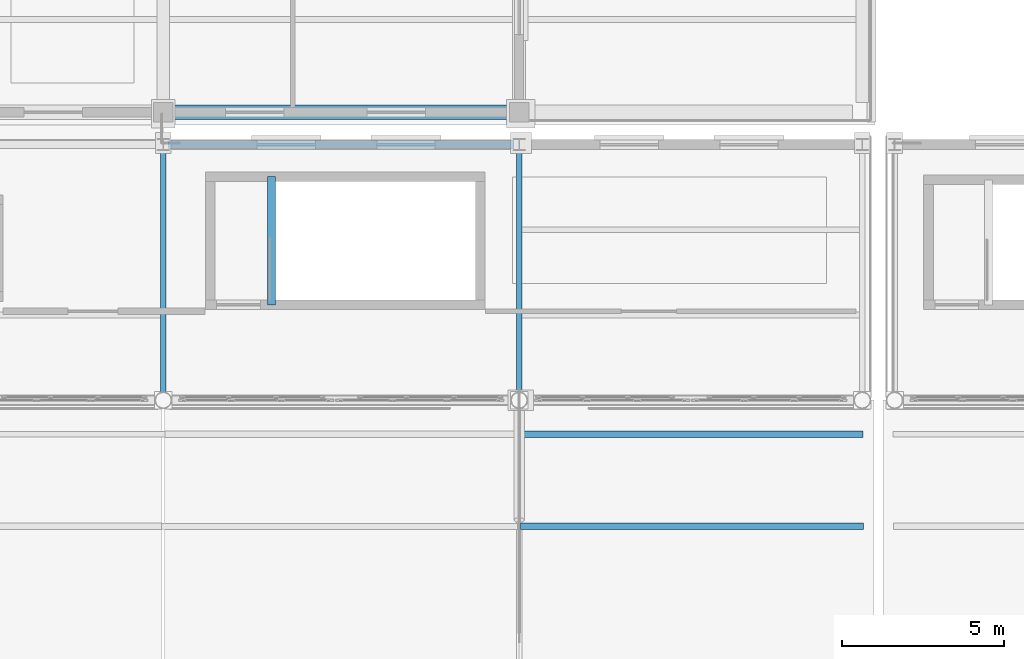
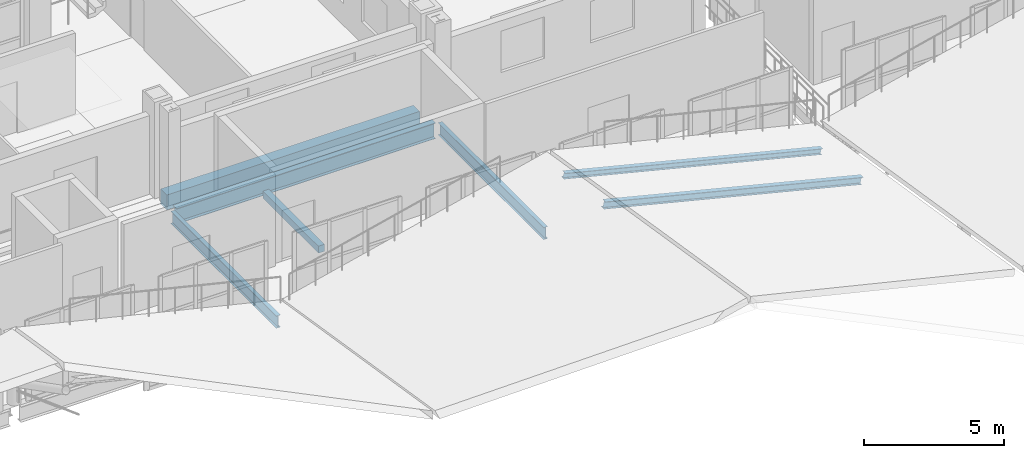
# One storey, part 42 of 120: 5 beams, 2 members.
"""IFC4 building model written with IfcOpenShell, lengths in metres."""

from ifc_helpers import new_model, si_unit, direction, frame, origin, origin_2d, place, context, subcontext, project, spatial, rectangle, i_section, extrude, material, material_profile, profile_set, type_object, element, save


model = new_model("IFC4")

# Units and contexts
model_context = context("Model", 3, precision=1e-05, world=origin(), true_north=direction((0.0, 1.0)))
body_context = subcontext(model_context, "Body", "Model", "MODEL_VIEW")
ifc_project = project(units=[si_unit("LENGTHUNIT", "METRE"), si_unit("AREAUNIT", "SQUARE_METRE"), si_unit("VOLUMEUNIT", "CUBIC_METRE"), si_unit("PLANEANGLEUNIT", "RADIAN"), si_unit("MASSUNIT", "GRAM", prefix="KILO")], contexts=[model_context])

# Site, building, storey
site_placement = place(None, origin())
site = spatial("IfcSite", under=ifc_project, at=site_placement, CompositionType="ELEMENT")
building_placement = place(site_placement, origin())
building = spatial("IfcBuilding", under=site, at=building_placement, Name="Caurita Quay Ferry Terminal", CompositionType="ELEMENT")
storey_placement = place(building_placement, frame((0.0, 0.0, 9.89990234375)))
storey = spatial("IfcBuildingStorey", under=building, at=storey_placement, Name="L02", CompositionType="ELEMENT", Elevation=9.89990234375)

# Beams
ifc_material_1 = material(Name="Structural steel ASTM A992 Gr. 50", Category="steel")
ifc_material_profile_1 = material_profile(ifc_material_1, i_section(OverallWidth=0.25390625, OverallDepth=0.68310546875, WebThickness=0.012451171875, FlangeThickness=0.018798828125, at=origin_2d()), Name="W27X94")
ifc_profile_set_1 = profile_set([ifc_material_profile_1], Name="Structural steel ASTM A992 Gr. 50")
beam_type_1 = type_object("IfcBeamType", Name="BM-GR-W27B", PredefinedType="BEAM", material=ifc_profile_set_1)
beam_1_placement = place(storey_placement, frame((66.167236328125, 70.60009765625, -0.5615234375), z_axis=(1.0, 0.0, 0.0), x_axis=(0.0, 1.0, 0.0)))
element("IfcBeam", 1, at=beam_1_placement, inside=storey, type_object=beam_type_1, Name="L02 Beam BM-V1-L02-X-662-706", PredefinedType="BEAM", context=body_context, shape_type="SweptSolid", body=[
    extrude(i_section(OverallWidth=0.25390625, OverallDepth=0.68310546875, WebThickness=0.012451171875, FlangeThickness=0.018798828125, at=origin_2d()), origin(), (0.0, 0.0, 1.0), 10.66552734375),
])
ifc_material_2 = material(Name="Reinforced concrete C35/45", Category="concrete")
ifc_material_profile_2 = material_profile(ifc_material_2, rectangle(XDim=0.449951171875, YDim=0.64990234375, at=origin_2d()), Name="RC-BM-450X650")
ifc_profile_set_2 = profile_set([ifc_material_profile_2], Name="Reinforced concrete C35/45")
beam_type_2 = type_object("IfcBeamType", Name="BM-RC-4565", PredefinedType="BEAM", material=ifc_profile_set_2)
beam_2_placement = place(storey_placement, frame((66.297607421875, 71.60009765625, -0.544921875), z_axis=(1.0, 0.0, 0.0), x_axis=(0.0, 1.0, 0.0)))
element("IfcBeam", 2, at=beam_2_placement, inside=storey, type_object=beam_type_2, Name="L02 Beam BM-V5-L02-X-663-716", PredefinedType="BEAM", context=body_context, shape_type="SweptSolid", body=[
    extrude(rectangle(XDim=0.449951171875, YDim=0.64990234375, at=origin_2d()), origin(), (0.0, 0.0, 1.0), 10.40478515625),
])
ifc_material_profile_3 = material_profile(ifc_material_1, i_section(OverallWidth=0.16650390625, OverallDepth=0.535888671875, WebThickness=0.01025390625, FlangeThickness=0.0166015625, FilletRadius=0.013916015625, at=origin_2d()), Name="W21X57")
ifc_profile_set_3 = profile_set([ifc_material_profile_3], Name="Structural steel ASTM A992 Gr. 50")
beam_type_3 = type_object("IfcBeamType", Name="BM-SP-W21B", PredefinedType="SPANDREL", material=ifc_profile_set_3)
for number, where, z_axis, x_axis, name in (
    (3, (66.0, 62.916015625, -0.48779296875), (0.0, 1.0, 0.0), (-1.0, 0.0, 0.0), "L02 Beam BM-V1-L02-Y-660-629"),
    (4, (77.0, 62.916015625, -0.48779296875), (0.0, 1.0, 0.0), (-1.0, 0.0, 0.0), "L02 Beam BM-V1-L02-Y-770-629"),
):
    element("IfcBeam", number, at=place(storey_placement, frame(where, z_axis=z_axis, x_axis=x_axis)), inside=storey, type_object=beam_type_3, Name=name, PredefinedType="SPANDREL", context=body_context, shape_type="SweptSolid", body=[
        extrude(i_section(OverallWidth=0.16650390625, OverallDepth=0.535888671875, WebThickness=0.01025390625, FlangeThickness=0.0166015625, FilletRadius=0.013916015625, at=origin_2d()), origin(), (0.0, 0.0, 1.0), 7.524169921875),
    ])
ifc_material_profile_4 = material_profile(ifc_material_2, rectangle(XDim=0.25, YDim=0.300048828125, at=origin_2d()), Name="RC-LN-250X300")
ifc_profile_set_4 = profile_set([ifc_material_profile_4], Name="Reinforced concrete C35/45")
beam_type_4 = type_object("IfcBeamType", Name="LN-RC-2530", PredefinedType="LINTEL", material=ifc_profile_set_4)
beam_3_placement = place(storey_placement, frame((69.35009765625, 65.64990234375, -0.14990234375), z_axis=(0.0, 1.0, 0.0), x_axis=(-1.0, 0.0, 0.0)))
element("IfcBeam", 5, at=beam_3_placement, inside=storey, type_object=beam_type_4, Name="L02 Stair ST-07 Landing Trimmer Beam", PredefinedType="LINTEL", context=body_context, shape_type="SweptSolid", body=[
    extrude(rectangle(XDim=0.25, YDim=0.300048828125, at=origin_2d()), origin(), (0.0, 0.0, 1.0), 3.960205078125),
])

# Members
ifc_material_profile_5 = material_profile(ifc_material_1, i_section(OverallWidth=0.2021484375, OverallDepth=0.246337890625, WebThickness=0.00732421875, FlangeThickness=0.010986328125, FilletRadius=0.01025390625, at=origin_2d()), Name="W10X33")
ifc_profile_set_5 = profile_set([ifc_material_profile_5], Name="Structural steel ASTM A992 Gr. 50")
member_type_1 = type_object("IfcMemberType", Name="MEM-PUR-10", PredefinedType="PURLIN", material=ifc_profile_set_5)
member_1_placement = place(storey_placement, frame((77.0, 61.64990234375, 2.80810546875), z_axis=(0.9703603414, 0.0, -0.241662590897), x_axis=(0.0, 1.0, 0.0)))
element("IfcMember", 6, at=member_1_placement, inside=storey, type_object=member_type_1, Name="Folded Roof Purlin PUR-080", PredefinedType="PURLIN", context=body_context, shape_type="SweptSolid", body=[
    extrude(i_section(OverallWidth=0.2021484375, OverallDepth=0.246337890625, WebThickness=0.00732421875, FlangeThickness=0.010986328125, FilletRadius=0.01025390625, at=origin_2d()), origin(), (0.0, 0.0, 1.0), 10.923828125),
])
ifc_material_profile_6 = material_profile(ifc_material_1, i_section(OverallWidth=0.20458984375, OverallDepth=0.307373046875, WebThickness=0.008544921875, FlangeThickness=0.0146484375, FilletRadius=0.0126953125, at=origin_2d()), Name="W12X45")
ifc_profile_set_6 = profile_set([ifc_material_profile_6], Name="Structural steel ASTM A992 Gr. 50")
member_type_2 = type_object("IfcMemberType", Name="MEM-PUR-12", PredefinedType="PURLIN", material=ifc_profile_set_6)
member_2_placement = place(storey_placement, frame((77.0, 58.800048828125, 3.26416015625), z_axis=(0.970355100302, 0.0, -0.241683634775), x_axis=(0.0, 1.0, 0.0)))
element("IfcMember", 7, at=member_2_placement, inside=storey, type_object=member_type_2, Name="Folded Roof Purlin PUR-079", PredefinedType="PURLIN", context=body_context, shape_type="SweptSolid", body=[
    extrude(i_section(OverallWidth=0.20458984375, OverallDepth=0.307373046875, WebThickness=0.008544921875, FlangeThickness=0.0146484375, FilletRadius=0.0126953125, at=origin_2d()), origin(), (0.0, 0.0, 1.0), 10.923828125),
])

save(model, "model.ifc")
